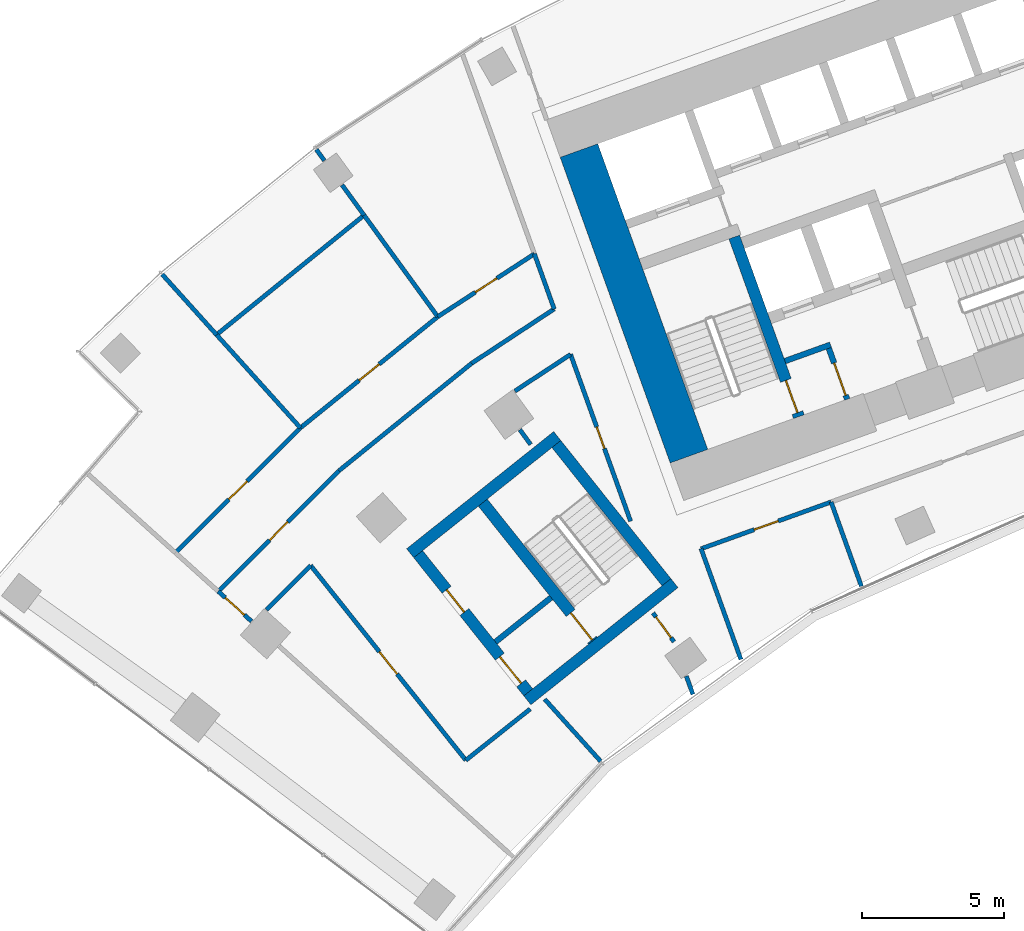
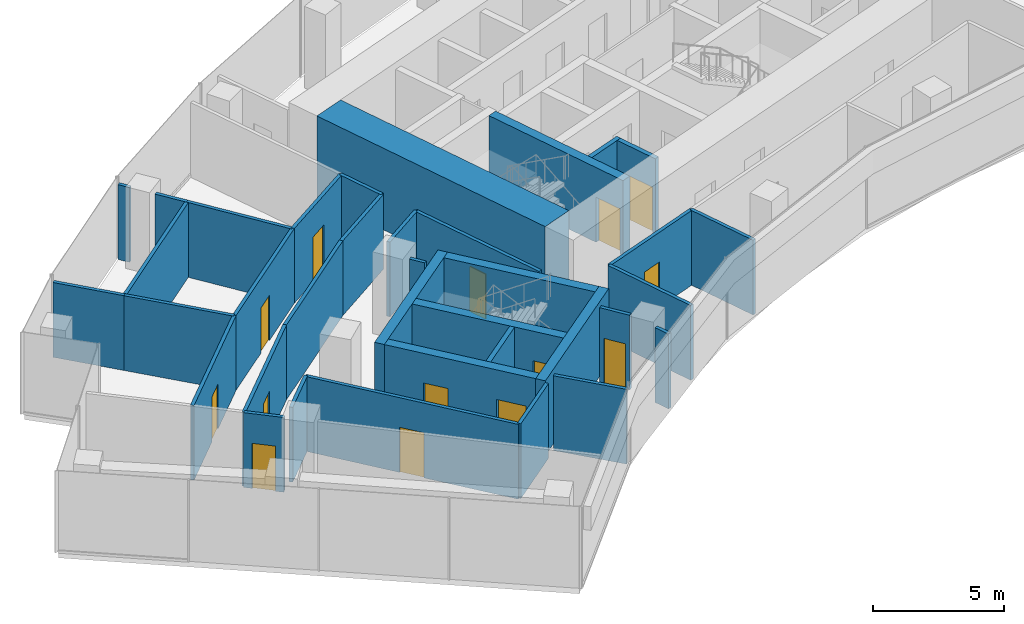
# One storey, part 13 of 20: 36 walls, 14 doors, 14 openings.
"""IFC4 building model written with IfcOpenShell, lengths in metres."""

import ifcopenshell
import ifcopenshell.guid

model = None  # the IFC model being written
_history = None  # IfcOwnerHistory: only IFC2X3 demands one
_inside = {}  # id of a spatial element -> (the spatial element, [elements in it])
_under = {}  # id of a project, library or spatial element -> (it, [spatial elements below it])
_declared = {}  # id of a project -> (the project, [libraries it declares])
_typed = {}  # id of a type object -> (the type object, [elements of that type])
_made_of = {}  # id of a material, layer set ... -> (it, [elements and type objects made of it])


def new_model(schema):
    """Start an empty IFC model of exactly this schema.

    Asked for "IFC4X3", IfcOpenShell would pick the latest addendum, in which some entities
    have other attributes; the version numbers below select the first issue.
    IFC2X3 requires an IfcOwnerHistory on every rooted entity: one is made here for all.
    """
    global model, _history
    if schema == "IFC4X3":
        model = ifcopenshell.file(schema_version=(4, 3, 0, 0))
    else:
        model = ifcopenshell.file(schema=schema)
    _inside.clear()
    _under.clear()
    _declared.clear()
    _typed.clear()
    _made_of.clear()
    _history = None
    if model.schema == "IFC2X3":
        org = make("IfcOrganization", Name="unknown")
        user = make(
            "IfcPersonAndOrganization",
            ThePerson=make("IfcPerson", FamilyName="unknown"),
            TheOrganization=org,
        )
        app = make(
            "IfcApplication",
            ApplicationDeveloper=org,
            Version="unknown",
            ApplicationFullName="unknown",
            ApplicationIdentifier="unknown",
        )
        _history = make(
            "IfcOwnerHistory",
            OwningUser=user,
            OwningApplication=app,
            ChangeAction="ADDED",
            CreationDate=0,
        )
    return model


def make(cls, **values):
    """One entity of the class cls with the attributes given. An attribute that is None is left unset."""
    return model.create_entity(
        cls, **{name: value for name, value in values.items() if value is not None}
    )


def rooted(cls, **values):
    """An entity with a GlobalId (a new one), such as an element, a storey or a relation."""
    return make(cls, GlobalId=ifcopenshell.guid.new(), OwnerHistory=_history, **values)


def si_unit(unit_type, name, prefix=None):
    """IfcSIUnit, for example si_unit("LENGTHUNIT", "METRE", prefix="MILLI")."""
    return make("IfcSIUnit", UnitType=unit_type, Prefix=prefix, Name=name)


def assignment(units):
    """IfcUnitAssignment: the units of a project."""
    return None if units is None else make("IfcUnitAssignment", Units=units)


def point(xyz):
    """IfcCartesianPoint."""
    return None if xyz is None else make("IfcCartesianPoint", Coordinates=xyz)


def direction(xyz):
    """IfcDirection."""
    return None if xyz is None else make("IfcDirection", DirectionRatios=xyz)


def frame(location, z_axis=None, x_axis=None):
    """IfcAxis2Placement3D, a coordinate frame: its origin and axes. An axis left out is left unset."""
    return make(
        "IfcAxis2Placement3D",
        Location=point(location),
        Axis=direction(z_axis),
        RefDirection=direction(x_axis),
    )


def frame_2d(location, x_axis=None):
    """IfcAxis2Placement2D, a coordinate frame in the plane: its origin and x axis."""
    return make(
        "IfcAxis2Placement2D", Location=point(location), RefDirection=direction(x_axis)
    )


def origin():
    """The frame at (0, 0, 0) with its axes left unset."""
    return frame((0.0, 0.0, 0.0))


def place(relative_to, where):
    """IfcLocalPlacement: puts the frame where relative to a parent placement (None: the world)."""
    return make(
        "IfcLocalPlacement", PlacementRelTo=relative_to, RelativePlacement=where
    )


def context(
    kind, dimensions, precision=None, world=None, true_north=None, identifier=None
):
    """IfcGeometricRepresentationContext, for example the 3D "Model" context."""
    return make(
        "IfcGeometricRepresentationContext",
        ContextIdentifier=identifier,
        ContextType=kind,
        CoordinateSpaceDimension=dimensions,
        Precision=precision,
        WorldCoordinateSystem=world,
        TrueNorth=true_north,
    )


def subcontext(parent, identifier, kind, view, scale=None):
    """IfcGeometricRepresentationSubContext, for example "Body" below "Model"."""
    return make(
        "IfcGeometricRepresentationSubContext",
        ContextIdentifier=identifier,
        ContextType=kind,
        ParentContext=parent,
        TargetScale=scale,
        TargetView=view,
    )


def project(units=None, contexts=None):
    """IfcProject with its units and contexts."""
    return rooted(
        "IfcProject",
        Name="project",
        RepresentationContexts=contexts,
        UnitsInContext=assignment(units),
    )


def spatial(cls, under=None, at=None, **own):
    """A site, building, storey or space (cls), placed at a placement, below another one or the project."""
    s = rooted(cls, ObjectPlacement=at, **own)
    if under is not None:
        _under.setdefault(under.id(), (under, []))[1].append(s)
    return s


def profile(cls, at=None, kind="AREA", **sizes):
    """A parametric profile (cls). Its sizes go by their IFC names, for example OverallWidth=200.0."""
    return make(cls, ProfileType=kind, Position=at, **sizes)


def rectangle(**sizes):
    """IfcRectangleProfileDef."""
    return profile("IfcRectangleProfileDef", **sizes)


def extrude(swept, where, along, depth):
    """IfcExtrudedAreaSolid: the profile swept, set in the frame where, extruded along a direction by depth."""
    return make(
        "IfcExtrudedAreaSolid",
        SweptArea=swept,
        Position=where,
        ExtrudedDirection=direction(along),
        Depth=depth,
    )


def shape(context_of_items, identifier, shape_type, items):
    """IfcShapeRepresentation: the items that make up one representation, for example the "Body"."""
    return make(
        "IfcShapeRepresentation",
        ContextOfItems=context_of_items,
        RepresentationIdentifier=identifier,
        RepresentationType=shape_type,
        Items=items,
    )


def material(Name=None, Category=None):
    """IfcMaterial."""
    return make("IfcMaterial", Name=Name, Category=Category)


def layer(
    of_material, thickness, ventilated=None, Name=None, Category=None, Priority=None
):
    """IfcMaterialLayer: one layer of a wall or slab, of a material (None: an air gap)."""
    return make(
        "IfcMaterialLayer",
        Material=of_material,
        LayerThickness=thickness,
        IsVentilated=ventilated,
        Name=Name,
        Category=Category,
        Priority=Priority,
    )


def layer_set(layers, Name=None):
    """IfcMaterialLayerSet."""
    return make("IfcMaterialLayerSet", MaterialLayers=layers, LayerSetName=Name)


def made_of(thing, what):
    """Note that an element or type object is made of a material, layer set ...; save() writes the relation."""
    if what is not None:
        _made_of.setdefault(what.id(), (what, []))[1].append(thing)
    return thing


def type_object(cls, material=None, **own):
    """A type object (cls), such as IfcWallType, which elements share."""
    return made_of(rooted(cls, **own), material)


def element(
    cls,
    number,
    at=None,
    inside=None,
    cuts=None,
    type_object=None,
    material=None,
    context=None,
    identifier="Body",
    shape_type=None,
    held_by="IfcProductDefinitionShape",
    body=None,
    shapes=None,
    **own,
):
    """One element of the class cls, such as IfcWall. Its Tag is "e" and its number.

    at: its placement. inside: the storey or other place that contains it. cuts: it is an
    opening in that element (IfcRelVoidsElement). A single representation is given by context,
    identifier, shape_type and body (its items); several are given by shapes. held_by: the class
    of the entity that holds the representations. save() writes the other relations.
    """
    e = rooted(cls, Tag="e%d" % number, ObjectPlacement=at, **own)
    if body is not None:
        shapes = [shape(context, identifier, shape_type, body)]
    if shapes is not None:
        e.Representation = make(held_by, Representations=shapes)
    if inside is not None:
        _inside.setdefault(inside.id(), (inside, []))[1].append(e)
    if cuts is not None:
        rooted(
            "IfcRelVoidsElement", RelatingBuildingElement=cuts, RelatedOpeningElement=e
        )
    if type_object is not None:
        _typed.setdefault(type_object.id(), (type_object, []))[1].append(e)
    return made_of(e, material)


def fill(opening, filler):
    """IfcRelFillsElement: the door or window that sits in an opening."""
    return rooted(
        "IfcRelFillsElement",
        RelatingOpeningElement=opening,
        RelatedBuildingElement=filler,
    )


def aggregate(whole, parts):
    """IfcRelAggregates: a whole, such as a stair, and the parts it consists of."""
    return rooted("IfcRelAggregates", RelatingObject=whole, RelatedObjects=parts)


def save(model, path):
    """Write the relations noted so far, then the file.

    IfcRelAggregates (storeys below a building ...), IfcRelContainedInSpatialStructure (elements
    in a storey), IfcRelDefinesByType, IfcRelAssociatesMaterial and IfcRelDeclares: one each for
    every whole, place, type object, material and project.
    """
    for whole, parts in _under.values():
        aggregate(whole, parts)
    for where, things in _inside.values():
        rooted(
            "IfcRelContainedInSpatialStructure",
            RelatedElements=things,
            RelatingStructure=where,
        )
    for kind, things in _typed.values():
        rooted("IfcRelDefinesByType", RelatedObjects=things, RelatingType=kind)
    for what, things in _made_of.values():
        rooted("IfcRelAssociatesMaterial", RelatedObjects=things, RelatingMaterial=what)
    for by, libraries in _declared.values():
        rooted("IfcRelDeclares", RelatingContext=by, RelatedDefinitions=libraries)
    model.write(path)


model = new_model("IFC4")

# Units and contexts
model_context = context("Model", 3, precision=1e-05, world=origin(), true_north=direction((0.0, 1.0)))
body_context = subcontext(model_context, "Body", "Model", "MODEL_VIEW")
ifc_project = project(units=[si_unit("LENGTHUNIT", "METRE"), si_unit("AREAUNIT", "SQUARE_METRE"), si_unit("VOLUMEUNIT", "CUBIC_METRE"), si_unit("PLANEANGLEUNIT", "RADIAN"), si_unit("MASSUNIT", "GRAM", prefix="KILO")], contexts=[model_context])

# Site, building, storey
site_placement = place(None, origin())
site = spatial("IfcSite", under=ifc_project, at=site_placement, CompositionType="ELEMENT")
building_placement = place(site_placement, origin())
building = spatial("IfcBuilding", under=site, at=building_placement, Name="Stone Belt Terrace Tower", CompositionType="ELEMENT")
storey_placement = place(building_placement, frame((0.0, 0.0, 174.39990234375)))
storey = spatial("IfcBuildingStorey", under=building, at=storey_placement, Name="L42", CompositionType="ELEMENT", Elevation=174.39990234375)

# Walls
ifc_material_1 = material(Name="Concrete B80", Category="concrete")
ifc_layer_1 = layer(ifc_material_1, 1.39990234375)
ifc_layer_set_1 = layer_set([ifc_layer_1], Name="Core wall 1400 B80")
wall_type_1 = type_object("IfcWallType", Name="Core wall 1400 B80", PredefinedType="SHEAR", material=ifc_layer_set_1)
wall_1_placement = place(storey_placement, frame((-26.00927734375, 43.03515625, 0.0), z_axis=(0.0, 0.0, 1.0), x_axis=(-0.338625431531, 0.940921259788, 0.0)))
element("IfcWall", 1, at=wall_1_placement, inside=storey, type_object=wall_type_1, Name="Core A wall end_a L42", PredefinedType="SHEAR", context=body_context, shape_type="SweptSolid", body=[
    extrude(rectangle(XDim=11.400146484375, YDim=1.39990234375, at=frame_2d((5.7001953125, 0.0))), origin(), (0.0, 0.0, 1.0), 3.800048828125),
])
ifc_material_2 = material(Name="Gypsum board partition")
ifc_layer_2 = layer(ifc_material_2, 0.14990234375)
ifc_layer_set_2 = layer_set([ifc_layer_2], Name="PARTITION 150 EI 60")
wall_type_2 = type_object("IfcWallType", Name="PARTITION 150 EI 60", PredefinedType="PARTITIONING", material=ifc_layer_set_2)
wall_2_placement = place(storey_placement, frame((-25.5859375, 39.79296875, 0.0), z_axis=(0.0, 0.0, 1.0), x_axis=(0.338545933013, -0.940949866486, 0.0)))
element("IfcWall", 2, at=wall_2_placement, inside=storey, type_object=wall_type_2, Name="L42/wall/i001", PredefinedType="PARTITIONING", context=body_context, shape_type="SweptSolid", body=[
    extrude(rectangle(XDim=4.135009765625, YDim=0.14990234375, at=frame_2d((2.0673828125, 0.0))), origin(), (0.0, 0.0, 1.0), 3.47998046875),
])

# Wall, opening, door
wall_3_placement = place(storey_placement, frame((-28.05810546875, 40.75390625, 0.0), z_axis=(0.0, 0.0, 1.0), x_axis=(-0.338523697563, 0.94095786632, 0.0)))
wall_3 = element("IfcWall", 3, at=wall_3_placement, inside=storey, type_object=wall_type_2, Name="L42/wall/i003", PredefinedType="PARTITIONING", context=body_context, shape_type="SweptSolid", body=[
    extrude(rectangle(XDim=6.226806640625, YDim=0.14990234375, at=frame_2d((3.11328125, 0.0))), origin(), (0.0, 0.0, 1.0), 3.47998046875),
])
opening_1_placement = place(wall_3_placement, frame((2.71337890625, 0.0, 0.0)))
opening_1 = element("IfcOpeningElement", 4, at=opening_1_placement, cuts=wall_3, Name="Opening D-C3-12", PredefinedType="OPENING", context=body_context, shape_type="SweptSolid", body=[
    extrude(rectangle(XDim=0.800048828125, YDim=2.10009765625, at=frame_2d((0.39990234375, 1.050048828125))), frame((0.0, 0.0849609375, 0.0), z_axis=(0.0, -1.0, 0.0), x_axis=(1.0, 0.0, 0.0)), (0.0, 0.0, 1.0), 0.169921875),
])
ifc_material_3 = material(Name="Timber door leaf", Category="wood")
door_type_1 = type_object("IfcDoorType", Name="STORE DOOR 800 X 2100", OperationType="NOTDEFINED", PredefinedType="DOOR", material=ifc_material_3)
door_1_placement = place(opening_1_placement, origin())
door_1 = element("IfcDoor", 5, at=door_1_placement, inside=storey, type_object=door_type_1, Name="L42/door/i12", OperationType="SINGLE_SWING_RIGHT", OverallHeight=2.10009765625, OverallWidth=0.800048828125, PredefinedType="DOOR", context=body_context, shape_type="SweptSolid", body=[
    extrude(rectangle(XDim=0.800048828125, YDim=2.10009765625, at=frame_2d((0.39990234375, 1.050048828125))), frame((0.0, 0.02490234375, 0.0), z_axis=(0.0, -1.0, 0.0), x_axis=(1.0, 0.0, 0.0)), (0.0, 0.0, 1.0), 0.050048828125),
])
fill(opening_1, door_1)

# Wall
wall_4_placement = place(storey_placement, frame((-25.870849609375, 34.67822265625, 0.0), z_axis=(0.0, 0.0, 1.0), x_axis=(-0.338744881741, 0.940878262632, 0.0)))
element("IfcWall", 6, at=wall_4_placement, inside=storey, type_object=wall_type_2, Name="L42/wall/i004", PredefinedType="PARTITIONING", context=body_context, shape_type="SweptSolid", body=[
    extrude(rectangle(XDim=0.680419921875, YDim=0.14990234375, at=frame_2d((0.34033203125, 0.0))), origin(), (0.0, 0.0, 1.0), 3.47998046875),
])

# Wall, opening, door
wall_5_placement = place(storey_placement, frame((-26.534912109375, 36.52294921875, 0.0), z_axis=(0.0, 0.0, 1.0), x_axis=(-0.58822969918, 0.80869389821, 0.0)))
wall_5 = element("IfcWall", 7, at=wall_5_placement, inside=storey, type_object=wall_type_2, Name="L42/wall/i005", PredefinedType="PARTITIONING", context=body_context, shape_type="SweptSolid", body=[
    extrude(rectangle(XDim=1.25146484375, YDim=0.14990234375, at=frame_2d((0.625732421875, 0.0))), origin(), (0.0, 0.0, 1.0), 3.47998046875),
])
opening_2_placement = place(wall_5_placement, frame((0.17578125, 0.0, 0.0)))
opening_2 = element("IfcOpeningElement", 8, at=opening_2_placement, cuts=wall_5, Name="Opening D-C3-13", PredefinedType="OPENING", context=body_context, shape_type="SweptSolid", body=[
    extrude(rectangle(XDim=0.89990234375, YDim=2.10009765625, at=frame_2d((0.449951171875, 1.050048828125))), frame((0.0, 0.0849609375, 0.0), z_axis=(0.0, -1.0, 0.0), x_axis=(1.0, 0.0, 0.0)), (0.0, 0.0, 1.0), 0.169921875),
])
door_type_2 = type_object("IfcDoorType", Name="OFFICE DOOR 900 X 2100", OperationType="NOTDEFINED", PredefinedType="DOOR", material=ifc_material_3)
door_2_placement = place(opening_2_placement, origin())
door_2 = element("IfcDoor", 9, at=door_2_placement, inside=storey, type_object=door_type_2, Name="L42/door/i13", OperationType="SINGLE_SWING_RIGHT", OverallHeight=2.10009765625, OverallWidth=0.89990234375, PredefinedType="DOOR", context=body_context, shape_type="SweptSolid", body=[
    extrude(rectangle(XDim=0.89990234375, YDim=2.10009765625, at=frame_2d((0.449951171875, 1.050048828125))), frame((0.0, 0.02490234375, 0.0), z_axis=(0.0, -1.0, 0.0), x_axis=(1.0, 0.0, 0.0)), (0.0, 0.0, 1.0), 0.050048828125),
])
fill(opening_2, door_2)

# Wall
wall_6_placement = place(storey_placement, frame((-30.737060546875, 48.197021484375, 0.0), z_axis=(0.0, 0.0, 1.0), x_axis=(-0.338522672426, 0.940958235127, 0.0)))
element("IfcWall", 10, at=wall_6_placement, inside=storey, type_object=wall_type_2, Name="L42/wall/i006", PredefinedType="PARTITIONING", context=body_context, shape_type="SweptSolid", body=[
    extrude(rectangle(XDim=2.064697265625, YDim=0.14990234375, at=frame_2d((1.0322265625, 0.0))), origin(), (0.0, 0.0, 1.0), 3.47998046875),
])

# Wall, opening, door
wall_7_placement = place(storey_placement, frame((-21.01611328125, 41.430908203125, 0.0), z_axis=(0.0, 0.0, 1.0), x_axis=(-0.940929075781, -0.33860371284, 0.0)))
wall_7 = element("IfcWall", 11, at=wall_7_placement, inside=storey, type_object=wall_type_2, Name="L42/wall/i014", PredefinedType="PARTITIONING", context=body_context, shape_type="SweptSolid", body=[
    extrude(rectangle(XDim=4.854736328125, YDim=0.14990234375, at=frame_2d((2.42724609375, 0.0))), origin(), (0.0, 0.0, 1.0), 3.47998046875),
])
opening_3_placement = place(wall_7_placement, frame((1.977294921875, 0.0, 0.0)))
opening_3 = element("IfcOpeningElement", 12, at=opening_3_placement, cuts=wall_7, Name="Opening D-C3-01", PredefinedType="OPENING", context=body_context, shape_type="SweptSolid", body=[
    extrude(rectangle(XDim=0.89990234375, YDim=2.10009765625, at=frame_2d((0.449951171875, 1.050048828125))), frame((0.0, 0.0849609375, 0.0), z_axis=(0.0, -1.0, 0.0), x_axis=(1.0, 0.0, 0.0)), (0.0, 0.0, 1.0), 0.169921875),
])
door_3_placement = place(opening_3_placement, origin())
door_3 = element("IfcDoor", 13, at=door_3_placement, inside=storey, type_object=door_type_2, Name="L42/door/i01", OperationType="SINGLE_SWING_RIGHT", OverallHeight=2.10009765625, OverallWidth=0.89990234375, PredefinedType="DOOR", context=body_context, shape_type="SweptSolid", body=[
    extrude(rectangle(XDim=0.89990234375, YDim=2.10009765625, at=frame_2d((0.449951171875, 1.050048828125))), frame((0.0, 0.02490234375, 0.0), z_axis=(0.0, -1.0, 0.0), x_axis=(1.0, 0.0, 0.0)), (0.0, 0.0, 1.0), 0.050048828125),
])
fill(opening_3, door_3)

# Wall
wall_8_placement = place(storey_placement, frame((-21.02197265625, 41.428955078125, 0.0), z_axis=(0.0, 0.0, 1.0), x_axis=(0.338524253278, -0.940957666393, 0.0)))
element("IfcWall", 14, at=wall_8_placement, inside=storey, type_object=wall_type_2, Name="L42/wall/i017", PredefinedType="PARTITIONING", context=body_context, shape_type="SweptSolid", body=[
    extrude(rectangle(XDim=3.144287109375, YDim=0.14990234375, at=frame_2d((1.572265625, 0.0))), origin(), (0.0, 0.0, 1.0), 3.47998046875),
])

# Wall, opening, door
wall_9_placement = place(storey_placement, frame((-41.35986328125, 37.240478515625, 0.0), z_axis=(0.0, 0.0, 1.0), x_axis=(-0.742885543222, 0.669418456327, 0.0)))
wall_9 = element("IfcWall", 15, at=wall_9_placement, inside=storey, type_object=wall_type_2, Name="L42/wall/i040", PredefinedType="PARTITIONING", context=body_context, shape_type="SweptSolid", body=[
    extrude(rectangle(XDim=1.5751953125, YDim=0.14990234375, at=frame_2d((0.78759765625, 0.0))), origin(), (0.0, 0.0, 1.0), 3.47998046875),
])
opening_4_placement = place(wall_9_placement, frame((0.337646484375, 0.0, 0.0)))
opening_4 = element("IfcOpeningElement", 16, at=opening_4_placement, cuts=wall_9, Name="Opening D-C3-11", PredefinedType="OPENING", context=body_context, shape_type="SweptSolid", body=[
    extrude(rectangle(XDim=0.89990234375, YDim=2.10009765625, at=frame_2d((0.449951171875, 1.050048828125))), frame((0.0, 0.0849609375, 0.0), z_axis=(0.0, -1.0, 0.0), x_axis=(1.0, 0.0, 0.0)), (0.0, 0.0, 1.0), 0.169921875),
])
door_4_placement = place(opening_4_placement, origin())
door_4 = element("IfcDoor", 17, at=door_4_placement, inside=storey, type_object=door_type_2, Name="L42/door/i11", OperationType="SINGLE_SWING_RIGHT", OverallHeight=2.10009765625, OverallWidth=0.89990234375, PredefinedType="DOOR", context=body_context, shape_type="SweptSolid", body=[
    extrude(rectangle(XDim=0.89990234375, YDim=2.10009765625, at=frame_2d((0.449951171875, 1.050048828125))), frame((0.0, 0.02490234375, 0.0), z_axis=(0.0, -1.0, 0.0), x_axis=(1.0, 0.0, 0.0)), (0.0, 0.0, 1.0), 0.050048828125),
])
fill(opening_4, door_4)

# Walls
wall_10_placement = place(storey_placement, frame((-30.1650390625, 46.60595703125, 0.0), z_axis=(0.0, 0.0, 1.0), x_axis=(-0.835424653074, -0.549604993641, 0.0)))
element("IfcWall", 18, at=wall_10_placement, inside=storey, type_object=wall_type_2, Name="L42/wall/i044", PredefinedType="PARTITIONING", context=body_context, shape_type="SweptSolid", body=[
    extrude(rectangle(XDim=2.337890625, YDim=0.14990234375, at=frame_2d((1.1689453125, 0.0))), origin(), (0.0, 0.0, 1.0), 3.47998046875),
])
wall_11_placement = place(storey_placement, frame((-31.943115234375, 43.966064453125, 0.0), z_axis=(0.0, 0.0, 1.0), x_axis=(0.588149120926, -0.808752503275, 0.0)))
element("IfcWall", 19, at=wall_11_placement, inside=storey, type_object=wall_type_2, Name="L42/wall/i045", PredefinedType="PARTITIONING", context=body_context, shape_type="SweptSolid", body=[
    extrude(rectangle(XDim=0.64306640625, YDim=0.14990234375, at=frame_2d((0.321533203125, 0.0))), origin(), (0.0, 0.0, 1.0), 3.47998046875),
])
wall_12_placement = place(storey_placement, frame((-39.281982421875, 39.205078125, 0.0), z_axis=(0.0, 0.0, 1.0), x_axis=(-0.707106781187, -0.707106781187, 0.0)))
element("IfcWall", 20, at=wall_12_placement, inside=storey, type_object=wall_type_2, Name="L42/wall/i046", PredefinedType="PARTITIONING", context=body_context, shape_type="SweptSolid", body=[
    extrude(rectangle(XDim=2.1982421875, YDim=0.14990234375, at=frame_2d((1.09912109375, 0.0))), origin(), (0.0, 0.0, 1.0), 3.47998046875),
])

# Wall, opening, door
wall_13_placement = place(storey_placement, frame((-42.52587890625, 38.291015625, 0.0), z_axis=(0.0, 0.0, 1.0), x_axis=(0.707106781187, 0.707106781187, 0.0)))
wall_13 = element("IfcWall", 21, at=wall_13_placement, inside=storey, type_object=wall_type_2, Name="L42/wall/i047", PredefinedType="PARTITIONING", context=body_context, shape_type="SweptSolid", body=[
    extrude(rectangle(XDim=5.989013671875, YDim=0.14990234375, at=frame_2d((2.99462890625, 0.0))), origin(), (0.0, 0.0, 1.0), 3.47998046875),
])
opening_5_placement = place(wall_13_placement, frame((2.544677734375, 0.0, 0.0)))
opening_5 = element("IfcOpeningElement", 22, at=opening_5_placement, cuts=wall_13, Name="Opening D-C3-15", PredefinedType="OPENING", context=body_context, shape_type="SweptSolid", body=[
    extrude(rectangle(XDim=0.89990234375, YDim=2.10009765625, at=frame_2d((0.449951171875, 1.050048828125))), frame((0.0, 0.0849609375, 0.0), z_axis=(0.0, -1.0, 0.0), x_axis=(1.0, 0.0, 0.0)), (0.0, 0.0, 1.0), 0.169921875),
])
door_5_placement = place(opening_5_placement, origin())
door_5 = element("IfcDoor", 23, at=door_5_placement, inside=storey, type_object=door_type_2, Name="L42/door/i15", OperationType="SINGLE_SWING_RIGHT", OverallHeight=2.10009765625, OverallWidth=0.89990234375, PredefinedType="DOOR", context=body_context, shape_type="SweptSolid", body=[
    extrude(rectangle(XDim=0.89990234375, YDim=2.10009765625, at=frame_2d((0.449951171875, 1.050048828125))), frame((0.0, 0.02490234375, 0.0), z_axis=(0.0, -1.0, 0.0), x_axis=(1.0, 0.0, 0.0)), (0.0, 0.0, 1.0), 0.050048828125),
])
fill(opening_5, door_5)

# Walls
wall_14_placement = place(storey_placement, frame((-38.2900390625, 42.527099609375, 0.0), z_axis=(0.0, 0.0, 1.0), x_axis=(0.77714422733, 0.629322532513, 0.0)))
element("IfcWall", 24, at=wall_14_placement, inside=storey, type_object=wall_type_2, Name="L42/wall/i048", PredefinedType="PARTITIONING", context=body_context, shape_type="SweptSolid", body=[
    extrude(rectangle(XDim=5.98876953125, YDim=0.14990234375, at=frame_2d((2.994384765625, 0.0))), origin(), (0.0, 0.0, 1.0), 3.47998046875),
])
wall_15_placement = place(storey_placement, frame((-33.635986328125, 46.2958984375, 0.0), z_axis=(0.0, 0.0, 1.0), x_axis=(0.835274160171, 0.549833681535, 0.0)))
element("IfcWall", 25, at=wall_15_placement, inside=storey, type_object=wall_type_2, Name="L42/wall/i049", PredefinedType="PARTITIONING", context=body_context, shape_type="SweptSolid", body=[
    extrude(rectangle(XDim=3.46826171875, YDim=0.14990234375, at=frame_2d((1.734130859375, 0.0))), origin(), (0.0, 0.0, 1.0), 3.47998046875),
])
wall_16_placement = place(storey_placement, frame((-31.5810546875, 34.1650390625, 0.0), z_axis=(0.0, 0.0, 1.0), x_axis=(-0.782079504581, -0.623178665003, 0.0)))
element("IfcWall", 26, at=wall_16_placement, inside=storey, type_object=wall_type_2, Name="L42/wall/i050", PredefinedType="PARTITIONING", context=body_context, shape_type="SweptSolid", body=[
    extrude(rectangle(XDim=2.888427734375, YDim=0.14990234375, at=frame_2d((1.4443359375, 0.0))), origin(), (0.0, 0.0, 1.0), 3.47998046875),
])

# Wall, opening, door
wall_17_placement = place(storey_placement, frame((-33.840087890625, 32.364990234375, 0.0), z_axis=(0.0, 0.0, 1.0), x_axis=(-0.6230926474, 0.782148037622, 0.0)))
wall_17 = element("IfcWall", 27, at=wall_17_placement, inside=storey, type_object=wall_type_2, Name="L42/wall/i051", PredefinedType="PARTITIONING", context=body_context, shape_type="SweptSolid", body=[
    extrude(rectangle(XDim=8.739990234375, YDim=0.14990234375, at=frame_2d((4.3701171875, 0.0))), origin(), (0.0, 0.0, 1.0), 3.47998046875),
])
opening_6_placement = place(wall_17_placement, frame((3.8701171875, 0.0, 0.0)))
opening_6 = element("IfcOpeningElement", 28, at=opening_6_placement, cuts=wall_17, Name="Opening D-C3-14", PredefinedType="OPENING", context=body_context, shape_type="SweptSolid", body=[
    extrude(rectangle(XDim=1.0, YDim=2.10009765625, at=frame_2d((0.5, 1.050048828125))), frame((0.0, 0.0849609375, 0.0), z_axis=(0.0, -1.0, 0.0), x_axis=(1.0, 0.0, 0.0)), (0.0, 0.0, 1.0), 0.169921875),
])
ifc_material_4 = material(Name="Timber fire door leaf", Category="wood")
door_type_3 = type_object("IfcDoorType", Name="TENANCY ENTRANCE DOOR 1000 X 2100", OperationType="NOTDEFINED", PredefinedType="DOOR", material=ifc_material_4)
door_6_placement = place(opening_6_placement, origin())
door_6 = element("IfcDoor", 29, at=door_6_placement, inside=storey, type_object=door_type_3, Name="L42/door/i14", OperationType="SINGLE_SWING_RIGHT", OverallHeight=2.10009765625, OverallWidth=1.0, PredefinedType="DOOR", context=body_context, shape_type="SweptSolid", body=[
    extrude(rectangle(XDim=1.0, YDim=2.10009765625, at=frame_2d((0.5, 1.050048828125))), frame((0.0, 0.02490234375, 0.0), z_axis=(0.0, -1.0, 0.0), x_axis=(1.0, 0.0, 0.0)), (0.0, 0.0, 1.0), 0.050048828125),
])
fill(opening_6, door_6)

# Wall
wall_18_placement = place(storey_placement, frame((-29.107177734375, 32.32666015625, 0.0), z_axis=(0.0, 0.0, 1.0), x_axis=(-0.669245075227, 0.74304174128, 0.0)))
element("IfcWall", 30, at=wall_18_placement, inside=storey, type_object=wall_type_2, Name="L42/wall/i052", PredefinedType="PARTITIONING", context=body_context, shape_type="SweptSolid", body=[
    extrude(rectangle(XDim=2.9345703125, YDim=0.14990234375, at=frame_2d((1.46728515625, 0.0))), origin(), (0.0, 0.0, 1.0), 3.47998046875),
])

# Wall, opening, door
wall_19_placement = place(storey_placement, frame((-44.029052734375, 39.64501953125, 0.0), z_axis=(0.0, 0.0, 1.0), x_axis=(0.707106781187, 0.707106781187, 0.0)))
wall_19 = element("IfcWall", 31, at=wall_19_placement, inside=storey, type_object=wall_type_2, Name="L42/wall/i053", PredefinedType="PARTITIONING", context=body_context, shape_type="SweptSolid", body=[
    extrude(rectangle(XDim=6.201416015625, YDim=0.14990234375, at=frame_2d((3.1005859375, 0.0))), origin(), (0.0, 0.0, 1.0), 3.47998046875),
])
opening_7_placement = place(wall_19_placement, frame((2.650634765625, 0.0, 0.0)))
opening_7 = element("IfcOpeningElement", 32, at=opening_7_placement, cuts=wall_19, Name="Opening D-C3-16", PredefinedType="OPENING", context=body_context, shape_type="SweptSolid", body=[
    extrude(rectangle(XDim=0.89990234375, YDim=2.10009765625, at=frame_2d((0.449951171875, 1.050048828125))), frame((0.0, 0.0849609375, 0.0), z_axis=(0.0, -1.0, 0.0), x_axis=(1.0, 0.0, 0.0)), (0.0, 0.0, 1.0), 0.169921875),
])
door_7_placement = place(opening_7_placement, origin())
door_7 = element("IfcDoor", 33, at=door_7_placement, inside=storey, type_object=door_type_2, Name="L42/door/i16", OperationType="SINGLE_SWING_RIGHT", OverallHeight=2.10009765625, OverallWidth=0.89990234375, PredefinedType="DOOR", context=body_context, shape_type="SweptSolid", body=[
    extrude(rectangle(XDim=0.89990234375, YDim=2.10009765625, at=frame_2d((0.449951171875, 1.050048828125))), frame((0.0, 0.02490234375, 0.0), z_axis=(0.0, -1.0, 0.0), x_axis=(1.0, 0.0, 0.0)), (0.0, 0.0, 1.0), 0.050048828125),
])
fill(opening_7, door_7)

wall_20_placement = place(storey_placement, frame((-39.64404296875, 44.030029296875, 0.0), z_axis=(0.0, 0.0, 1.0), x_axis=(0.777190769916, 0.629265053184, 0.0)))
wall_20 = element("IfcWall", 34, at=wall_20_placement, inside=storey, type_object=wall_type_2, Name="L42/wall/i054", PredefinedType="PARTITIONING", context=body_context, shape_type="SweptSolid", body=[
    extrude(rectangle(XDim=6.20068359375, YDim=0.14990234375, at=frame_2d((3.100341796875, 0.0))), origin(), (0.0, 0.0, 1.0), 3.47998046875),
])
opening_8_placement = place(wall_20_placement, frame((2.650390625, 0.0, 0.0)))
opening_8 = element("IfcOpeningElement", 35, at=opening_8_placement, cuts=wall_20, Name="Opening D-C3-17", PredefinedType="OPENING", context=body_context, shape_type="SweptSolid", body=[
    extrude(rectangle(XDim=0.89990234375, YDim=2.10009765625, at=frame_2d((0.449951171875, 1.050048828125))), frame((0.0, 0.0849609375, 0.0), z_axis=(0.0, -1.0, 0.0), x_axis=(1.0, 0.0, 0.0)), (0.0, 0.0, 1.0), 0.169921875),
])
door_8_placement = place(opening_8_placement, origin())
door_8 = element("IfcDoor", 36, at=door_8_placement, inside=storey, type_object=door_type_2, Name="L42/door/i17", OperationType="SINGLE_SWING_RIGHT", OverallHeight=2.10009765625, OverallWidth=0.89990234375, PredefinedType="DOOR", context=body_context, shape_type="SweptSolid", body=[
    extrude(rectangle(XDim=0.89990234375, YDim=2.10009765625, at=frame_2d((0.449951171875, 1.050048828125))), frame((0.0, 0.02490234375, 0.0), z_axis=(0.0, -1.0, 0.0), x_axis=(1.0, 0.0, 0.0)), (0.0, 0.0, 1.0), 0.050048828125),
])
fill(opening_8, door_8)

wall_21_placement = place(storey_placement, frame((-34.824951171875, 47.931884765625, 0.0), z_axis=(0.0, 0.0, 1.0), x_axis=(0.838660143757, 0.544655086521, 0.0)))
wall_21 = element("IfcWall", 37, at=wall_21_placement, inside=storey, type_object=wall_type_2, Name="L42/wall/i055", PredefinedType="PARTITIONING", context=body_context, shape_type="SweptSolid", body=[
    extrude(rectangle(XDim=4.043212890625, YDim=0.14990234375, at=frame_2d((2.021484375, 0.0))), origin(), (0.0, 0.0, 1.0), 3.47998046875),
])
opening_9_placement = place(wall_21_placement, frame((1.571533203125, 0.0, 0.0)))
opening_9 = element("IfcOpeningElement", 38, at=opening_9_placement, cuts=wall_21, Name="Opening D-C3-18", PredefinedType="OPENING", context=body_context, shape_type="SweptSolid", body=[
    extrude(rectangle(XDim=0.89990234375, YDim=2.10009765625, at=frame_2d((0.449951171875, 1.050048828125))), frame((0.0, 0.0849609375, 0.0), z_axis=(0.0, -1.0, 0.0), x_axis=(1.0, 0.0, 0.0)), (0.0, 0.0, 1.0), 0.169921875),
])
door_9_placement = place(opening_9_placement, origin())
door_9 = element("IfcDoor", 39, at=door_9_placement, inside=storey, type_object=door_type_2, Name="L42/door/i18", OperationType="SINGLE_SWING_RIGHT", OverallHeight=2.10009765625, OverallWidth=0.89990234375, PredefinedType="DOOR", context=body_context, shape_type="SweptSolid", body=[
    extrude(rectangle(XDim=0.89990234375, YDim=2.10009765625, at=frame_2d((0.449951171875, 1.050048828125))), frame((0.0, 0.02490234375, 0.0), z_axis=(0.0, -1.0, 0.0), x_axis=(1.0, 0.0, 0.0)), (0.0, 0.0, 1.0), 0.050048828125),
])
fill(opening_9, door_9)

# Walls
wall_22_placement = place(storey_placement, frame((-42.592041015625, 47.302978515625, 0.0), z_axis=(0.0, 0.0, 1.0), x_axis=(0.669258646934, -0.74302951725, 0.0)))
element("IfcWall", 40, at=wall_22_placement, inside=storey, type_object=wall_type_2, Name="L42/wall/i056", PredefinedType="PARTITIONING", context=body_context, shape_type="SweptSolid", body=[
    extrude(rectangle(XDim=4.40478515625, YDim=0.14990234375, at=frame_2d((2.202392578125, 0.0))), origin(), (0.0, 0.0, 1.0), 3.47998046875),
])
wall_23_placement = place(storey_placement, frame((-44.496826171875, 49.41943359375, 0.0), z_axis=(0.0, 0.0, 1.0), x_axis=(0.66894586308, -0.743311127502, 0.0)))
element("IfcWall", 41, at=wall_23_placement, inside=storey, type_object=wall_type_2, Name="L42/wall/i057", PredefinedType="PARTITIONING", context=body_context, shape_type="SweptSolid", body=[
    extrude(rectangle(XDim=2.859375, YDim=0.14990234375, at=frame_2d((1.4296875, 0.0))), origin(), (0.0, 0.0, 1.0), 3.47998046875),
])
wall_24_placement = place(storey_placement, frame((-42.587890625, 47.299072265625, 0.0), z_axis=(0.0, 0.0, 1.0), x_axis=(0.777100621569, 0.629376377025, 0.0)))
element("IfcWall", 42, at=wall_24_placement, inside=storey, type_object=wall_type_2, Name="L42/wall/i058", PredefinedType="PARTITIONING", context=body_context, shape_type="SweptSolid", body=[
    extrude(rectangle(XDim=6.661865234375, YDim=0.14990234375, at=frame_2d((3.3310546875, 0.0))), origin(), (0.0, 0.0, 1.0), 3.47998046875),
])
wall_25_placement = place(storey_placement, frame((-37.410888671875, 51.491943359375, 0.0), z_axis=(0.0, 0.0, 1.0), x_axis=(0.587696525109, -0.809081451014, 0.0)))
element("IfcWall", 43, at=wall_25_placement, inside=storey, type_object=wall_type_2, Name="L42/wall/i059", PredefinedType="PARTITIONING", context=body_context, shape_type="SweptSolid", body=[
    extrude(rectangle(XDim=4.400146484375, YDim=0.14990234375, at=frame_2d((2.2001953125, 0.0))), origin(), (0.0, 0.0, 1.0), 3.47998046875),
])
wall_26_placement = place(storey_placement, frame((-39.087890625, 53.7998046875, 0.0), z_axis=(0.0, 0.0, 1.0), x_axis=(0.587839914735, -0.808977276964, 0.0)))
element("IfcWall", 44, at=wall_26_placement, inside=storey, type_object=wall_type_2, Name="L42/wall/i060", PredefinedType="PARTITIONING", context=body_context, shape_type="SweptSolid", body=[
    extrude(rectangle(XDim=0.4814453125, YDim=0.14990234375, at=frame_2d((0.24072265625, 0.0))), origin(), (0.0, 0.0, 1.0), 3.47998046875),
])
wall_27_placement = place(storey_placement, frame((-38.181884765625, 52.552978515625, 0.0), z_axis=(0.0, 0.0, 1.0), x_axis=(0.587839609229, -0.808977498958, 0.0)))
element("IfcWall", 45, at=wall_27_placement, inside=storey, type_object=wall_type_2, Name="L42/wall/i061", PredefinedType="PARTITIONING", context=body_context, shape_type="SweptSolid", body=[
    extrude(rectangle(XDim=1.3115234375, YDim=0.14990234375, at=frame_2d((0.65576171875, 0.0))), origin(), (0.0, 0.0, 1.0), 3.47998046875),
])
ifc_material_5 = material(Name="Concrete masonry block", Category="masonry")
ifc_layer_3 = layer(ifc_material_5, 0.199951171875)
ifc_layer_set_3 = layer_set([ifc_layer_3], Name="Rated lobby wall 200")
wall_type_3 = type_object("IfcWallType", Name="Rated lobby wall 200", PredefinedType="PARTITIONING", material=ifc_layer_set_3)
wall_28_placement = place(storey_placement, frame((-22.640625, 46.373046875, 0.0), z_axis=(0.0, 0.0, 1.0), x_axis=(0.940966110313, 0.338500781747, 0.0)))
element("IfcWall", 46, at=wall_28_placement, inside=storey, type_object=wall_type_3, Name="Core A wall", PredefinedType="PARTITIONING", context=body_context, shape_type="SweptSolid", body=[
    extrude(rectangle(XDim=1.699951171875, YDim=0.199951171875, at=frame_2d((0.85009765625, 0.0))), origin(), (0.0, 0.0, 1.0), 3.47998046875),
])

# Wall, opening, door
wall_29_placement = place(storey_placement, frame((-20.4580078125, 45.032958984375, 0.0), z_axis=(0.0, 0.0, 1.0), x_axis=(-0.338573865316, 0.940939816208, 0.0)))
wall_29 = element("IfcWall", 47, at=wall_29_placement, inside=storey, type_object=wall_type_3, Name="Core A wall", PredefinedType="PARTITIONING", context=body_context, shape_type="SweptSolid", body=[
    extrude(rectangle(XDim=1.900146484375, YDim=0.199951171875, at=frame_2d((0.9501953125, 0.0))), origin(), (0.0, 0.0, 1.0), 3.47998046875),
])
opening_10_placement = place(wall_29_placement, frame((0.14990234375, 0.0, 0.0)))
opening_10 = element("IfcOpeningElement", 48, at=opening_10_placement, cuts=wall_29, Name="Opening L42-C06", PredefinedType="OPENING", context=body_context, shape_type="SweptSolid", body=[
    extrude(rectangle(XDim=1.199951171875, YDim=2.10009765625, at=frame_2d((0.60009765625, 1.050048828125))), frame((0.0, 0.10986328125, 0.0), z_axis=(0.0, -1.0, 0.0), x_axis=(1.0, 0.0, 0.0)), (0.0, 0.0, 1.0), 0.219970703125),
])
ifc_material_6 = material(Name="Steel door leaf", Category="steel")
door_type_4 = type_object("IfcDoorType", Name="Stair door 1200", OperationType="SINGLE_SWING_LEFT", PredefinedType="DOOR", material=ifc_material_6)
door_10_placement = place(opening_10_placement, origin())
door_10 = element("IfcDoor", 49, at=door_10_placement, inside=storey, type_object=door_type_4, Name="Stair airlock door core A", OperationType="SINGLE_SWING_LEFT", OverallHeight=2.10009765625, OverallWidth=1.199951171875, PredefinedType="DOOR", context=body_context, shape_type="SweptSolid", body=[
    extrude(rectangle(XDim=1.199951171875, YDim=2.10009765625, at=frame_2d((0.60009765625, 1.050048828125))), frame((0.0, 0.02490234375, 0.0), z_axis=(0.0, -1.0, 0.0), x_axis=(1.0, 0.0, 0.0)), (0.0, 0.0, 1.0), 0.050048828125),
])
fill(opening_10, door_10)

# Wall
wall_30_placement = place(storey_placement, frame((-30.845703125, 38.074951171875, 0.0), z_axis=(0.0, 0.0, 1.0), x_axis=(-0.782115323833, -0.623133709749, 0.0)))
element("IfcWall", 50, at=wall_30_placement, inside=storey, type_object=wall_type_3, Name="Exit stair ST3A wall", PredefinedType="PARTITIONING", context=body_context, shape_type="SweptSolid", body=[
    extrude(rectangle(XDim=2.5, YDim=0.199951171875, at=frame_2d((1.25, 0.0))), origin(), (0.0, 0.0, 1.0), 3.47998046875),
])

# Wall, opening, door
ifc_layer_4 = layer(ifc_material_1, 0.39990234375)
ifc_layer_set_4 = layer_set([ifc_layer_4], Name="Stair enclosure wall 400")
wall_type_4 = type_object("IfcWallType", Name="Stair enclosure wall 400", PredefinedType="SHEAR", material=ifc_layer_set_4)
wall_31_placement = place(storey_placement, frame((-22.151611328125, 44.42333984375, 0.0), z_axis=(0.0, 0.0, 1.0), x_axis=(-0.338625272931, 0.940921316866, 0.0)))
wall_31 = element("IfcWall", 51, at=wall_31_placement, inside=storey, type_object=wall_type_4, Name="Core A wall", PredefinedType="SHEAR", context=body_context, shape_type="SweptSolid", body=[
    extrude(rectangle(XDim=6.699951171875, YDim=0.39990234375, at=frame_2d((3.35009765625, 0.0))), origin(), (0.0, 0.0, 1.0), 3.47998046875),
])
opening_11_placement = place(wall_31_placement, frame((0.14990234375, 0.0, 0.0)))
opening_11 = element("IfcOpeningElement", 52, at=opening_11_placement, cuts=wall_31, Name="Opening L42-C05", PredefinedType="OPENING", context=body_context, shape_type="SweptSolid", body=[
    extrude(rectangle(XDim=1.199951171875, YDim=2.10009765625, at=frame_2d((0.60009765625, 1.050048828125))), frame((0.0, 0.2099609375, 0.0), z_axis=(0.0, -1.0, 0.0), x_axis=(1.0, 0.0, 0.0)), (0.0, 0.0, 1.0), 0.419921875),
])
door_11_placement = place(opening_11_placement, origin())
door_11 = element("IfcDoor", 53, at=door_11_placement, inside=storey, type_object=door_type_4, Name="Stair 1 door core A", OperationType="SINGLE_SWING_LEFT", OverallHeight=2.10009765625, OverallWidth=1.199951171875, PredefinedType="DOOR", context=body_context, shape_type="SweptSolid", body=[
    extrude(rectangle(XDim=1.199951171875, YDim=2.10009765625, at=frame_2d((0.60009765625, 1.050048828125))), frame((0.0, 0.02490234375, 0.0), z_axis=(0.0, -1.0, 0.0), x_axis=(1.0, 0.0, 0.0)), (0.0, 0.0, 1.0), 0.050048828125),
])
fill(opening_11, door_11)

# Walls
for number, where, z_axis, x_axis, name in (
    (54, (-26.518798828125, 38.58154296875, 0.0), (0.0, 0.0, 1.0), (-0.782133914161, -0.623110375711, 0.0), "Exit stair ST3A wall"),
    (55, (-30.63134765625, 43.74365234375, 0.0), (0.0, 0.0, 1.0), (-0.782133914161, -0.623110375711, 0.0), "Exit stair ST3A wall"),
):
    element("IfcWall", number, at=place(storey_placement, frame(where, z_axis=z_axis, x_axis=x_axis)), inside=storey, type_object=wall_type_4, Name=name, PredefinedType="SHEAR", context=body_context, shape_type="SweptSolid", body=[
        extrude(rectangle(XDim=6.60009765625, YDim=0.39990234375, at=frame_2d((3.300048828125, 0.0))), origin(), (0.0, 0.0, 1.0), 3.47998046875),
    ])
wall_32_placement = place(storey_placement, frame((-26.7998046875, 38.61328125, 0.0), z_axis=(0.0, 0.0, 1.0), x_axis=(-0.623118653668, 0.782127319208, 0.0)))
element("IfcWall", 56, at=wall_32_placement, inside=storey, type_object=wall_type_4, Name="Exit stair ST3A wall", PredefinedType="SHEAR", context=body_context, shape_type="SweptSolid", body=[
    extrude(rectangle(XDim=6.199951171875, YDim=0.39990234375, at=frame_2d((3.10009765625, 0.0))), origin(), (0.0, 0.0, 1.0), 3.47998046875),
])

# Wall, openings, doors
wall_33_placement = place(storey_placement, frame((-31.64892578125, 34.75, 0.0), z_axis=(0.0, 0.0, 1.0), x_axis=(-0.623118653668, 0.782127319208, 0.0)))
wall_33 = element("IfcWall", 57, at=wall_33_placement, inside=storey, type_object=wall_type_4, Name="Exit stair ST3A wall", PredefinedType="SHEAR", context=body_context, shape_type="SweptSolid", body=[
    extrude(rectangle(XDim=6.199951171875, YDim=0.39990234375, at=frame_2d((3.10009765625, 0.0))), origin(), (0.0, 0.0, 1.0), 3.47998046875),
])
opening_12_placement = place(wall_33_placement, frame((0.39990234375, 0.0, 0.0)))
opening_12 = element("IfcOpeningElement", 58, at=opening_12_placement, cuts=wall_33, Name="Opening L42-C24", PredefinedType="OPENING", context=body_context, shape_type="SweptSolid", body=[
    extrude(rectangle(XDim=1.199951171875, YDim=2.10009765625, at=frame_2d((0.60009765625, 1.050048828125))), frame((0.0, 0.2099609375, 0.0), z_axis=(0.0, -1.0, 0.0), x_axis=(1.0, 0.0, 0.0)), (0.0, 0.0, 1.0), 0.419921875),
])
opening_13_placement = place(wall_33_placement, frame((3.60009765625, 0.0, 0.0)))
opening_13 = element("IfcOpeningElement", 59, at=opening_13_placement, cuts=wall_33, Name="Opening L42-C25", PredefinedType="OPENING", context=body_context, shape_type="SweptSolid", body=[
    extrude(rectangle(XDim=1.0, YDim=2.10009765625, at=frame_2d((0.5, 1.050048828125))), frame((0.0, 0.2099609375, 0.0), z_axis=(0.0, -1.0, 0.0), x_axis=(1.0, 0.0, 0.0)), (0.0, 0.0, 1.0), 0.419921875),
])
door_type_5 = type_object("IfcDoorType", Name="Core room door 1000", OperationType="SINGLE_SWING_LEFT", PredefinedType="DOOR", material=ifc_material_3)
door_12_placement = place(opening_13_placement, origin())
door_12 = element("IfcDoor", 60, at=door_12_placement, inside=storey, type_object=door_type_5, Name="Door to stair pressurisation plant room ST3A", OperationType="SINGLE_SWING_RIGHT", OverallHeight=2.10009765625, OverallWidth=1.0, PredefinedType="DOOR", context=body_context, shape_type="SweptSolid", body=[
    extrude(rectangle(XDim=1.0, YDim=2.10009765625, at=frame_2d((0.5, 1.050048828125))), frame((0.0, 0.02490234375, 0.0), z_axis=(0.0, -1.0, 0.0), x_axis=(1.0, 0.0, 0.0)), (0.0, 0.0, 1.0), 0.050048828125),
])
fill(opening_13, door_12)
door_type_6 = type_object("IfcDoorType", Name="Stair airlock door 1200", OperationType="SINGLE_SWING_LEFT", PredefinedType="DOOR", material=ifc_material_6)
door_13_placement = place(opening_12_placement, origin())
door_13 = element("IfcDoor", 61, at=door_13_placement, inside=storey, type_object=door_type_6, Name="Stair airlock door ST3A", OperationType="SINGLE_SWING_RIGHT", OverallHeight=2.10009765625, OverallWidth=1.199951171875, PredefinedType="DOOR", context=body_context, shape_type="SweptSolid", body=[
    extrude(rectangle(XDim=1.199951171875, YDim=2.10009765625, at=frame_2d((0.60009765625, 1.050048828125))), frame((0.0, 0.02490234375, 0.0), z_axis=(0.0, -1.0, 0.0), x_axis=(1.0, 0.0, 0.0)), (0.0, 0.0, 1.0), 0.050048828125),
])
fill(opening_12, door_13)

# Wall, opening, door
wall_34_placement = place(storey_placement, frame((-29.380859375, 36.556884765625, 0.0), z_axis=(0.0, 0.0, 1.0), x_axis=(-0.623099462847, 0.782142608097, 0.0)))
wall_34 = element("IfcWall", 62, at=wall_34_placement, inside=storey, type_object=wall_type_4, Name="Exit stair ST3A wall", PredefinedType="SHEAR", context=body_context, shape_type="SweptSolid", body=[
    extrude(rectangle(XDim=6.2001953125, YDim=0.39990234375, at=frame_2d((3.10009765625, 0.0))), origin(), (0.0, 0.0, 1.0), 3.47998046875),
])
opening_14_placement = place(wall_34_placement, frame((0.050048828125, 0.0, 0.0)))
opening_14 = element("IfcOpeningElement", 63, at=opening_14_placement, cuts=wall_34, Name="Opening L42-C23", PredefinedType="OPENING", context=body_context, shape_type="SweptSolid", body=[
    extrude(rectangle(XDim=1.199951171875, YDim=2.10009765625, at=frame_2d((0.60009765625, 1.050048828125))), frame((0.0, 0.2099609375, 0.0), z_axis=(0.0, -1.0, 0.0), x_axis=(1.0, 0.0, 0.0)), (0.0, 0.0, 1.0), 0.419921875),
])
door_14_placement = place(opening_14_placement, origin())
door_14 = element("IfcDoor", 64, at=door_14_placement, inside=storey, type_object=door_type_4, Name="Stair door ST3A", OperationType="SINGLE_SWING_LEFT", OverallHeight=2.10009765625, OverallWidth=1.199951171875, PredefinedType="DOOR", context=body_context, shape_type="SweptSolid", body=[
    extrude(rectangle(XDim=1.199951171875, YDim=2.10009765625, at=frame_2d((0.60009765625, 1.050048828125))), frame((0.0, 0.02490234375, 0.0), z_axis=(0.0, -1.0, 0.0), x_axis=(1.0, 0.0, 0.0)), (0.0, 0.0, 1.0), 0.050048828125),
])
fill(opening_14, door_14)

save(model, "model.ifc")
